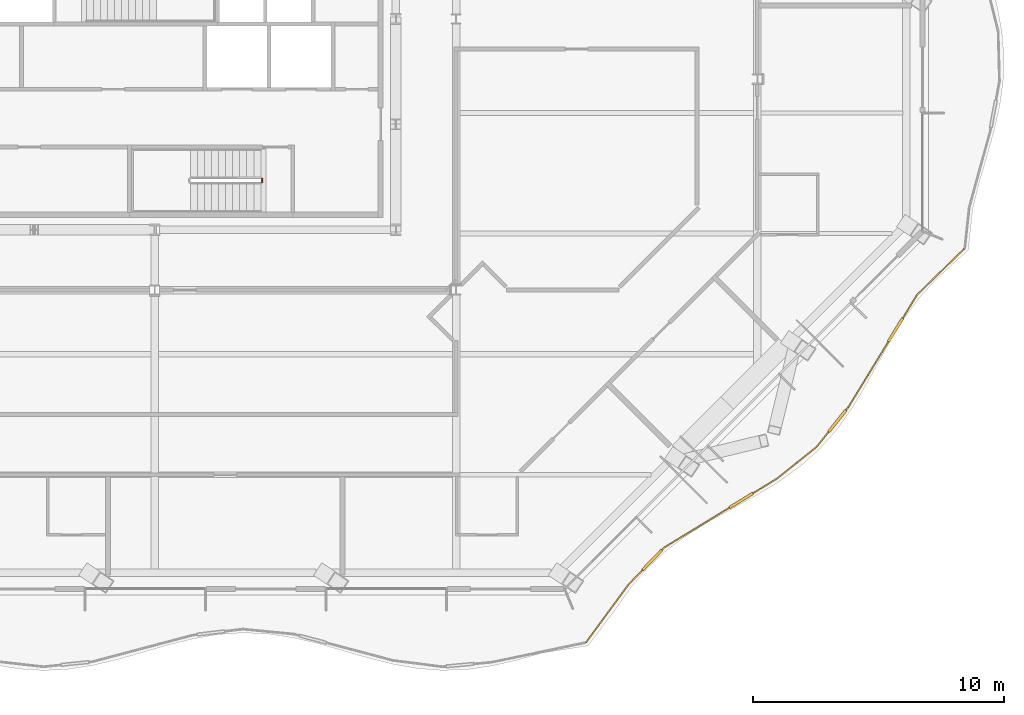
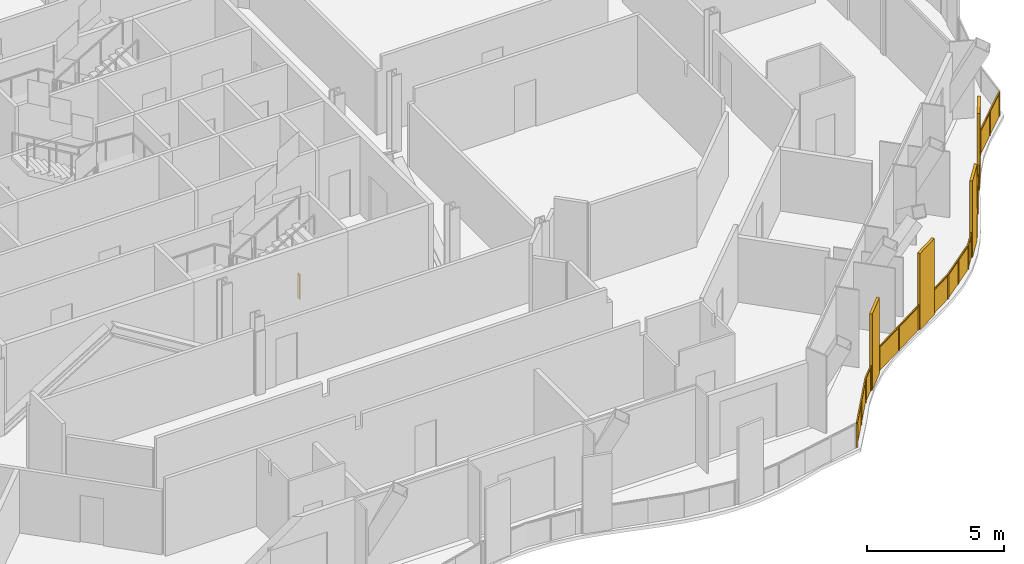
# One storey, part 17 of 21: 2 railings.
"""IFC4 building model written with IfcOpenShell, lengths in metres."""

import ifcopenshell
import ifcopenshell.guid

model = None  # the IFC model being written
_history = None  # IfcOwnerHistory: only IFC2X3 demands one
_inside = {}  # id of a spatial element -> (the spatial element, [elements in it])
_under = {}  # id of a project, library or spatial element -> (it, [spatial elements below it])
_declared = {}  # id of a project -> (the project, [libraries it declares])
_typed = {}  # id of a type object -> (the type object, [elements of that type])
_made_of = {}  # id of a material, layer set ... -> (it, [elements and type objects made of it])


def new_model(schema):
    """Start an empty IFC model of exactly this schema.

    Asked for "IFC4X3", IfcOpenShell would pick the latest addendum, in which some entities
    have other attributes; the version numbers below select the first issue.
    IFC2X3 requires an IfcOwnerHistory on every rooted entity: one is made here for all.
    """
    global model, _history
    if schema == "IFC4X3":
        model = ifcopenshell.file(schema_version=(4, 3, 0, 0))
    else:
        model = ifcopenshell.file(schema=schema)
    _inside.clear()
    _under.clear()
    _declared.clear()
    _typed.clear()
    _made_of.clear()
    _history = None
    if model.schema == "IFC2X3":
        org = make("IfcOrganization", Name="unknown")
        user = make(
            "IfcPersonAndOrganization",
            ThePerson=make("IfcPerson", FamilyName="unknown"),
            TheOrganization=org,
        )
        app = make(
            "IfcApplication",
            ApplicationDeveloper=org,
            Version="unknown",
            ApplicationFullName="unknown",
            ApplicationIdentifier="unknown",
        )
        _history = make(
            "IfcOwnerHistory",
            OwningUser=user,
            OwningApplication=app,
            ChangeAction="ADDED",
            CreationDate=0,
        )
    return model


def make(cls, **values):
    """One entity of the class cls with the attributes given. An attribute that is None is left unset."""
    return model.create_entity(
        cls, **{name: value for name, value in values.items() if value is not None}
    )


def rooted(cls, **values):
    """An entity with a GlobalId (a new one), such as an element, a storey or a relation."""
    return make(cls, GlobalId=ifcopenshell.guid.new(), OwnerHistory=_history, **values)


def si_unit(unit_type, name, prefix=None):
    """IfcSIUnit, for example si_unit("LENGTHUNIT", "METRE", prefix="MILLI")."""
    return make("IfcSIUnit", UnitType=unit_type, Prefix=prefix, Name=name)


def assignment(units):
    """IfcUnitAssignment: the units of a project."""
    return None if units is None else make("IfcUnitAssignment", Units=units)


def point(xyz):
    """IfcCartesianPoint."""
    return None if xyz is None else make("IfcCartesianPoint", Coordinates=xyz)


def direction(xyz):
    """IfcDirection."""
    return None if xyz is None else make("IfcDirection", DirectionRatios=xyz)


def frame(location, z_axis=None, x_axis=None):
    """IfcAxis2Placement3D, a coordinate frame: its origin and axes. An axis left out is left unset."""
    return make(
        "IfcAxis2Placement3D",
        Location=point(location),
        Axis=direction(z_axis),
        RefDirection=direction(x_axis),
    )


def frame_2d(location, x_axis=None):
    """IfcAxis2Placement2D, a coordinate frame in the plane: its origin and x axis."""
    return make(
        "IfcAxis2Placement2D", Location=point(location), RefDirection=direction(x_axis)
    )


def origin():
    """The frame at (0, 0, 0) with its axes left unset."""
    return frame((0.0, 0.0, 0.0))


def origin_2d():
    """The frame at (0, 0) in the plane with its x axis left unset."""
    return frame_2d((0.0, 0.0))


def place(relative_to, where):
    """IfcLocalPlacement: puts the frame where relative to a parent placement (None: the world)."""
    return make(
        "IfcLocalPlacement", PlacementRelTo=relative_to, RelativePlacement=where
    )


def context(
    kind, dimensions, precision=None, world=None, true_north=None, identifier=None
):
    """IfcGeometricRepresentationContext, for example the 3D "Model" context."""
    return make(
        "IfcGeometricRepresentationContext",
        ContextIdentifier=identifier,
        ContextType=kind,
        CoordinateSpaceDimension=dimensions,
        Precision=precision,
        WorldCoordinateSystem=world,
        TrueNorth=true_north,
    )


def subcontext(parent, identifier, kind, view, scale=None):
    """IfcGeometricRepresentationSubContext, for example "Body" below "Model"."""
    return make(
        "IfcGeometricRepresentationSubContext",
        ContextIdentifier=identifier,
        ContextType=kind,
        ParentContext=parent,
        TargetScale=scale,
        TargetView=view,
    )


def project(units=None, contexts=None):
    """IfcProject with its units and contexts."""
    return rooted(
        "IfcProject",
        Name="project",
        RepresentationContexts=contexts,
        UnitsInContext=assignment(units),
    )


def spatial(cls, under=None, at=None, **own):
    """A site, building, storey or space (cls), placed at a placement, below another one or the project."""
    s = rooted(cls, ObjectPlacement=at, **own)
    if under is not None:
        _under.setdefault(under.id(), (under, []))[1].append(s)
    return s


def polyline(points):
    """IfcPolyline through the points."""
    return make("IfcPolyline", Points=[point(p) for p in points])


def profile(cls, at=None, kind="AREA", **sizes):
    """A parametric profile (cls). Its sizes go by their IFC names, for example OverallWidth=200.0."""
    return make(cls, ProfileType=kind, Position=at, **sizes)


def rectangle(**sizes):
    """IfcRectangleProfileDef."""
    return profile("IfcRectangleProfileDef", **sizes)


def outline(outer, holes=None, kind="AREA"):
    """IfcArbitraryClosedProfileDef: a profile drawn as a closed curve; with holes, ...WithVoids."""
    if holes is None:
        return make("IfcArbitraryClosedProfileDef", ProfileType=kind, OuterCurve=outer)
    return make(
        "IfcArbitraryProfileDefWithVoids",
        ProfileType=kind,
        OuterCurve=outer,
        InnerCurves=holes,
    )


def extrude(swept, where, along, depth):
    """IfcExtrudedAreaSolid: the profile swept, set in the frame where, extruded along a direction by depth."""
    return make(
        "IfcExtrudedAreaSolid",
        SweptArea=swept,
        Position=where,
        ExtrudedDirection=direction(along),
        Depth=depth,
    )


def shape(context_of_items, identifier, shape_type, items):
    """IfcShapeRepresentation: the items that make up one representation, for example the "Body"."""
    return make(
        "IfcShapeRepresentation",
        ContextOfItems=context_of_items,
        RepresentationIdentifier=identifier,
        RepresentationType=shape_type,
        Items=items,
    )


def material(Name=None, Category=None):
    """IfcMaterial."""
    return make("IfcMaterial", Name=Name, Category=Category)


def made_of(thing, what):
    """Note that an element or type object is made of a material, layer set ...; save() writes the relation."""
    if what is not None:
        _made_of.setdefault(what.id(), (what, []))[1].append(thing)
    return thing


def type_object(cls, material=None, **own):
    """A type object (cls), such as IfcWallType, which elements share."""
    return made_of(rooted(cls, **own), material)


def element(
    cls,
    number,
    at=None,
    inside=None,
    cuts=None,
    type_object=None,
    material=None,
    context=None,
    identifier="Body",
    shape_type=None,
    held_by="IfcProductDefinitionShape",
    body=None,
    shapes=None,
    **own,
):
    """One element of the class cls, such as IfcWall. Its Tag is "e" and its number.

    at: its placement. inside: the storey or other place that contains it. cuts: it is an
    opening in that element (IfcRelVoidsElement). A single representation is given by context,
    identifier, shape_type and body (its items); several are given by shapes. held_by: the class
    of the entity that holds the representations. save() writes the other relations.
    """
    e = rooted(cls, Tag="e%d" % number, ObjectPlacement=at, **own)
    if body is not None:
        shapes = [shape(context, identifier, shape_type, body)]
    if shapes is not None:
        e.Representation = make(held_by, Representations=shapes)
    if inside is not None:
        _inside.setdefault(inside.id(), (inside, []))[1].append(e)
    if cuts is not None:
        rooted(
            "IfcRelVoidsElement", RelatingBuildingElement=cuts, RelatedOpeningElement=e
        )
    if type_object is not None:
        _typed.setdefault(type_object.id(), (type_object, []))[1].append(e)
    return made_of(e, material)


def aggregate(whole, parts):
    """IfcRelAggregates: a whole, such as a stair, and the parts it consists of."""
    return rooted("IfcRelAggregates", RelatingObject=whole, RelatedObjects=parts)


def save(model, path):
    """Write the relations noted so far, then the file.

    IfcRelAggregates (storeys below a building ...), IfcRelContainedInSpatialStructure (elements
    in a storey), IfcRelDefinesByType, IfcRelAssociatesMaterial and IfcRelDeclares: one each for
    every whole, place, type object, material and project.
    """
    for whole, parts in _under.values():
        aggregate(whole, parts)
    for where, things in _inside.values():
        rooted(
            "IfcRelContainedInSpatialStructure",
            RelatedElements=things,
            RelatingStructure=where,
        )
    for kind, things in _typed.values():
        rooted("IfcRelDefinesByType", RelatedObjects=things, RelatingType=kind)
    for what, things in _made_of.values():
        rooted("IfcRelAssociatesMaterial", RelatedObjects=things, RelatingMaterial=what)
    for by, libraries in _declared.values():
        rooted("IfcRelDeclares", RelatingContext=by, RelatedDefinitions=libraries)
    model.write(path)


model = new_model("IFC4")

# Units and contexts
model_context = context("Model", 3, precision=1e-05, world=origin(), true_north=direction((0.0, 1.0)))
body_context = subcontext(model_context, "Body", "Model", "MODEL_VIEW")
ifc_project = project(units=[si_unit("LENGTHUNIT", "METRE"), si_unit("AREAUNIT", "SQUARE_METRE"), si_unit("VOLUMEUNIT", "CUBIC_METRE"), si_unit("PLANEANGLEUNIT", "RADIAN"), si_unit("MASSUNIT", "GRAM", prefix="KILO")], contexts=[model_context])

# Site, building, storey
site_placement = place(None, origin())
site = spatial("IfcSite", under=ifc_project, at=site_placement, CompositionType="ELEMENT")
building_placement = place(site_placement, origin())
building = spatial("IfcBuilding", under=site, at=building_placement, Name="Cairn Pilgrim Tower", CompositionType="ELEMENT")
storey_placement = place(building_placement, frame((0.0, 0.0, 183.0)))
storey = spatial("IfcBuildingStorey", under=building, at=storey_placement, Name="L46", CompositionType="ELEMENT", Elevation=183.0)

# Railings
ifc_material_1 = material(Name="Bronze anodised aluminium rail, posts and fin screens with laminated glass infill", Category="aluminium")
railing_type_1 = type_object("IfcRailingType", Name="BALCONY GUARD WITH FIN SCREENS", PredefinedType="GUARDRAIL", material=ifc_material_1)
railing_1_placement = place(storey_placement, frame((24.3740234375, -22.43310546875, 0.0)))
element("IfcRailing", 1, at=railing_1_placement, inside=storey, type_object=railing_type_1, Name="Balcony guard BGF-2 with fin screens", PredefinedType="GUARDRAIL", context=body_context, shape_type="SweptSolid", body=[
    extrude(rectangle(XDim=0.050048828125, YDim=0.050048828125, at=origin_2d()), frame((0.0, 0.0, 1.0751953125), z_axis=(0.591563569555, 0.806258360065, 0.0), x_axis=(-0.806258360065, 0.591563569555, 0.0)), (0.0, 0.0, 1.0), 2.85888671875),
    extrude(rectangle(XDim=1.10009765625, YDim=0.110107421875, at=origin_2d()), frame((2.641357421875, 3.28662109375, 0.0), z_axis=(0.0, 0.0, 1.0), x_axis=(0.695431269671, 0.71859261697, 0.0)), (0.0, 0.0, 1.0), 3.39990234375),
    extrude(rectangle(XDim=0.050048828125, YDim=0.050048828125, at=origin_2d()), frame((1.691162109375, 2.304931640625, 1.0751953125), z_axis=(0.695431269671, 0.71859261697, 0.0), x_axis=(-0.71859261697, 0.695431269671, 0.0)), (0.0, 0.0, 1.0), 0.816162109375),
    extrude(rectangle(XDim=0.050048828125, YDim=0.050048828125, at=origin_2d()), frame((3.023681640625, 3.681884765625, 1.0751953125), z_axis=(0.695431269671, 0.71859261697, 0.0), x_axis=(-0.71859261697, 0.695431269671, 0.0)), (0.0, 0.0, 1.0), 0.14990234375),
    extrude(rectangle(XDim=1.10009765625, YDim=0.110107421875, at=origin_2d()), frame((6.1806640625, 5.65478515625, 0.0), z_axis=(0.0, 0.0, 1.0), x_axis=(0.853318635487, 0.521389783493, 0.0)), (0.0, 0.0, 1.0), 3.39990234375),
    extrude(rectangle(XDim=0.050048828125, YDim=0.050048828125, at=origin_2d()), frame((3.1279296875, 3.78955078125, 1.0751953125), z_axis=(0.853318635487, 0.521389783493, 0.0), x_axis=(-0.521389783493, 0.853318635487, 0.0)), (0.0, 0.0, 1.0), 3.027587890625),
    extrude(rectangle(XDim=0.050048828125, YDim=0.050048828125, at=origin_2d()), frame((6.650146484375, 5.941650390625, 1.0751953125), z_axis=(0.853318635487, 0.521389783493, 0.0), x_axis=(-0.521389783493, 0.853318635487, 0.0)), (0.0, 0.0, 1.0), 1.11962890625),
    extrude(rectangle(XDim=0.050048828125, YDim=0.050048828125, at=origin_2d()), frame((7.60546875, 6.525390625, 1.0751953125), z_axis=(0.781080701141, 0.624430090807, 0.0), x_axis=(-0.624430090807, 0.781080701141, 0.0)), (0.0, 0.0, 1.0), 2.02294921875),
    extrude(rectangle(XDim=1.10009765625, YDim=0.110107421875, at=origin_2d()), frame((10.011474609375, 8.822021484375, 0.0), z_axis=(0.0, 0.0, 1.0), x_axis=(0.624297592991, 0.781186607275, 0.0)), (0.0, 0.0, 1.0), 3.39990234375),
    extrude(rectangle(XDim=0.050048828125, YDim=0.050048828125, at=origin_2d()), frame((9.185546875, 7.78857421875, 1.0751953125), z_axis=(0.624297592991, 0.781186607275, 0.0), x_axis=(-0.781186607275, 0.624297592991, 0.0)), (0.0, 0.0, 1.0), 0.77294921875),
    extrude(rectangle(XDim=0.050048828125, YDim=0.050048828125, at=origin_2d()), frame((10.354736328125, 9.251708984375, 1.0751953125), z_axis=(0.624297592991, 0.781186607275, 0.0), x_axis=(-0.781186607275, 0.624297592991, 0.0)), (0.0, 0.0, 1.0), 0.150146484375),
    extrude(rectangle(XDim=1.10009765625, YDim=0.110107421875, at=origin_2d()), frame((12.330322265625, 12.4482421875, 0.0), z_axis=(0.0, 0.0, 1.0), x_axis=(0.521431187626, 0.853293335595, 0.0)), (0.0, 0.0, 1.0), 3.39990234375),
    extrude(rectangle(XDim=0.050048828125, YDim=0.050048828125, at=origin_2d()), frame((10.448486328125, 9.368896484375, 1.0751953125), z_axis=(0.521431187626, 0.853293335595, 0.0), x_axis=(-0.853293335595, 0.521431187626, 0.0)), (0.0, 0.0, 1.0), 3.058837890625),
    extrude(rectangle(XDim=0.050048828125, YDim=0.050048828125, at=origin_2d()), frame((12.616943359375, 12.917724609375, 1.0751953125), z_axis=(0.521431187626, 0.853293335595, 0.0), x_axis=(-0.853293335595, 0.521431187626, 0.0)), (0.0, 0.0, 1.0), 1.087890625),
    extrude(rectangle(XDim=0.050048828125, YDim=0.050048828125, at=origin_2d()), frame((13.184326171875, 13.845947265625, 1.0751953125), z_axis=(0.715849624504, 0.69825447732, 0.0), x_axis=(-0.69825447732, 0.715849624504, 0.0)), (0.0, 0.0, 1.0), 2.5947265625),
    extrude(rectangle(XDim=0.050048828125, YDim=0.050048828125, at=origin_2d()), origin(), (0.0, 0.0, 1.0), 1.050048828125),
    extrude(rectangle(XDim=0.050048828125, YDim=0.050048828125, at=origin_2d()), frame((0.845458984375, 1.15234375, 0.0)), (0.0, 0.0, 1.0), 1.050048828125),
    extrude(rectangle(XDim=0.050048828125, YDim=0.050048828125, at=origin_2d()), frame((1.691162109375, 2.304931640625, 0.0)), (0.0, 0.0, 1.0), 1.050048828125),
    extrude(rectangle(XDim=0.050048828125, YDim=0.050048828125, at=origin_2d()), frame((2.241455078125, 2.87353515625, 0.0)), (0.0, 0.0, 1.0), 1.050048828125),
    extrude(rectangle(XDim=0.050048828125, YDim=0.050048828125, at=origin_2d()), frame((3.041259765625, 3.699951171875, 0.0)), (0.0, 0.0, 1.0), 1.050048828125),
    extrude(rectangle(XDim=0.050048828125, YDim=0.050048828125, at=origin_2d()), frame((3.1279296875, 3.78955078125, 0.0)), (0.0, 0.0, 1.0), 1.050048828125),
    extrude(rectangle(XDim=0.050048828125, YDim=0.050048828125, at=origin_2d()), frame((4.408935546875, 4.572265625, 0.0)), (0.0, 0.0, 1.0), 1.050048828125),
    extrude(rectangle(XDim=0.050048828125, YDim=0.050048828125, at=origin_2d()), frame((5.690185546875, 5.35498046875, 0.0)), (0.0, 0.0, 1.0), 1.050048828125),
    extrude(rectangle(XDim=0.050048828125, YDim=0.050048828125, at=origin_2d()), frame((6.67138671875, 5.95458984375, 0.0)), (0.0, 0.0, 1.0), 1.050048828125),
    extrude(rectangle(XDim=0.050048828125, YDim=0.050048828125, at=origin_2d()), frame((7.60546875, 6.525390625, 0.0)), (0.0, 0.0, 1.0), 1.050048828125),
    extrude(rectangle(XDim=0.050048828125, YDim=0.050048828125, at=origin_2d()), frame((8.3955078125, 7.156982421875, 0.0)), (0.0, 0.0, 1.0), 1.050048828125),
    extrude(rectangle(XDim=0.050048828125, YDim=0.050048828125, at=origin_2d()), frame((9.185546875, 7.78857421875, 0.0)), (0.0, 0.0, 1.0), 1.050048828125),
    extrude(rectangle(XDim=0.050048828125, YDim=0.050048828125, at=origin_2d()), frame((9.652587890625, 8.372802734375, 0.0)), (0.0, 0.0, 1.0), 1.050048828125),
    extrude(rectangle(XDim=0.050048828125, YDim=0.050048828125, at=origin_2d()), frame((10.370361328125, 9.271240234375, 0.0)), (0.0, 0.0, 1.0), 1.050048828125),
    extrude(rectangle(XDim=0.050048828125, YDim=0.050048828125, at=origin_2d()), frame((10.448486328125, 9.368896484375, 0.0)), (0.0, 0.0, 1.0), 1.050048828125),
    extrude(rectangle(XDim=0.050048828125, YDim=0.050048828125, at=origin_2d()), frame((11.239501953125, 10.663330078125, 0.0)), (0.0, 0.0, 1.0), 1.050048828125),
    extrude(rectangle(XDim=0.050048828125, YDim=0.050048828125, at=origin_2d()), frame((12.030517578125, 11.957763671875, 0.0)), (0.0, 0.0, 1.0), 1.050048828125),
    extrude(rectangle(XDim=0.050048828125, YDim=0.050048828125, at=origin_2d()), frame((12.630126953125, 12.93896484375, 0.0)), (0.0, 0.0, 1.0), 1.050048828125),
    extrude(rectangle(XDim=0.050048828125, YDim=0.050048828125, at=origin_2d()), frame((13.184326171875, 13.845947265625, 0.0)), (0.0, 0.0, 1.0), 1.050048828125),
    extrude(rectangle(XDim=0.050048828125, YDim=0.050048828125, at=origin_2d()), frame((14.113037109375, 14.751953125, 0.0)), (0.0, 0.0, 1.0), 1.050048828125),
    extrude(rectangle(XDim=0.050048828125, YDim=0.050048828125, at=origin_2d()), frame((15.041748046875, 15.65771484375, 0.0)), (0.0, 0.0, 1.0), 1.050048828125),
    extrude(outline(polyline([(0.02490234375, 0.0), (1.404296875, 0.0), (1.404296875, 1.050048828125), (0.02490234375, 1.050048828125), (0.02490234375, 0.0)])), frame((-0.0048828125, 0.00341796875, 0.0), z_axis=(0.806258360065, -0.591563569555, 0.0), x_axis=(0.591563569555, 0.806258360065, 0.0)), (0.0, 0.0, 1.0), 0.011962890625),
    extrude(outline(polyline([(0.02490234375, 0.0), (1.404296875, 0.0), (1.404296875, 1.050048828125), (0.02490234375, 1.050048828125), (0.02490234375, 0.0)])), frame((0.8408203125, 1.156005859375, 0.0), z_axis=(0.806258360065, -0.591563569555, 0.0), x_axis=(0.591563569555, 0.806258360065, 0.0)), (0.0, 0.0, 1.0), 0.011962890625),
    extrude(outline(polyline([(0.02490234375, 0.0), (0.76611328125, 0.0), (0.76611328125, 1.050048828125), (0.02490234375, 1.050048828125), (0.02490234375, 0.0)])), frame((1.686767578125, 2.30908203125, 0.0), z_axis=(0.71859261697, -0.695431269671, 0.0), x_axis=(0.695431269671, 0.71859261697, 0.0)), (0.0, 0.0, 1.0), 0.011962890625),
    extrude(outline(polyline([(0.02490234375, 0.0), (0.099853515625, 0.0), (0.099853515625, 1.050048828125), (0.02490234375, 1.050048828125), (0.02490234375, 0.0)])), frame((3.036865234375, 3.7041015625, 0.0), z_axis=(0.71859261697, -0.695431269671, 0.0), x_axis=(0.695431269671, 0.71859261697, 0.0)), (0.0, 0.0, 1.0), 0.011962890625),
    extrude(outline(polyline([(0.02490234375, 0.0), (1.476318359375, 0.0), (1.476318359375, 1.050048828125), (0.02490234375, 1.050048828125), (0.02490234375, 0.0)])), frame((3.124755859375, 3.794677734375, 0.0), z_axis=(0.521389783493, -0.853318635487, 0.0), x_axis=(0.853318635487, 0.521389783493, 0.0)), (0.0, 0.0, 1.0), 0.011962890625),
    extrude(outline(polyline([(0.02490234375, 0.0), (1.476318359375, 0.0), (1.476318359375, 1.050048828125), (0.02490234375, 1.050048828125), (0.02490234375, 0.0)])), frame((4.40576171875, 4.577392578125, 0.0), z_axis=(0.521389783493, -0.853318635487, 0.0), x_axis=(0.853318635487, 0.521389783493, 0.0)), (0.0, 0.0, 1.0), 0.011962890625),
    extrude(outline(polyline([(0.02490234375, 0.0), (1.069580078125, 0.0), (1.069580078125, 1.050048828125), (0.02490234375, 1.050048828125), (0.02490234375, 0.0)])), frame((6.668212890625, 5.959716796875, 0.0), z_axis=(0.521389783493, -0.853318635487, 0.0), x_axis=(0.853318635487, 0.521389783493, 0.0)), (0.0, 0.0, 1.0), 0.011962890625),
    extrude(outline(polyline([(0.02490234375, 0.0), (0.986328125, 0.0), (0.986328125, 1.050048828125), (0.02490234375, 1.050048828125), (0.02490234375, 0.0)])), frame((7.601806640625, 6.530029296875, 0.0), z_axis=(0.624430090807, -0.781080701141, 0.0), x_axis=(0.781080701141, 0.624430090807, 0.0)), (0.0, 0.0, 1.0), 0.011962890625),
    extrude(outline(polyline([(0.02490234375, 0.0), (0.986328125, 0.0), (0.986328125, 1.050048828125), (0.02490234375, 1.050048828125), (0.02490234375, 0.0)])), frame((8.391845703125, 7.16162109375, 0.0), z_axis=(0.624430090807, -0.781080701141, 0.0), x_axis=(0.781080701141, 0.624430090807, 0.0)), (0.0, 0.0, 1.0), 0.011962890625),
    extrude(outline(polyline([(0.02490234375, 0.0), (0.722900390625, 0.0), (0.722900390625, 1.050048828125), (0.02490234375, 1.050048828125), (0.02490234375, 0.0)])), frame((9.180908203125, 7.792236328125, 0.0), z_axis=(0.781186607275, -0.624297592991, 0.0), x_axis=(0.624297592991, 0.781186607275, 0.0)), (0.0, 0.0, 1.0), 0.011962890625),
    extrude(outline(polyline([(0.02490234375, 0.0), (0.10009765625, 0.0), (0.10009765625, 1.050048828125), (0.02490234375, 1.050048828125), (0.02490234375, 0.0)])), frame((10.36572265625, 9.27490234375, 0.0), z_axis=(0.781186607275, -0.624297592991, 0.0), x_axis=(0.624297592991, 0.781186607275, 0.0)), (0.0, 0.0, 1.0), 0.011962890625),
    extrude(outline(polyline([(0.02490234375, 0.0), (1.491943359375, 0.0), (1.491943359375, 1.050048828125), (0.02490234375, 1.050048828125), (0.02490234375, 0.0)])), frame((10.443359375, 9.3720703125, 0.0), z_axis=(0.853293335595, -0.521431187626, 0.0), x_axis=(0.521431187626, 0.853293335595, 0.0)), (0.0, 0.0, 1.0), 0.011962890625),
    extrude(outline(polyline([(0.02490234375, 0.0), (1.491943359375, 0.0), (1.491943359375, 1.050048828125), (0.02490234375, 1.050048828125), (0.02490234375, 0.0)])), frame((11.234375, 10.66650390625, 0.0), z_axis=(0.853293335595, -0.521431187626, 0.0), x_axis=(0.521431187626, 0.853293335595, 0.0)), (0.0, 0.0, 1.0), 0.011962890625),
    extrude(outline(polyline([(0.02490234375, 0.0), (1.037841796875, 0.0), (1.037841796875, 1.050048828125), (0.02490234375, 1.050048828125), (0.02490234375, 0.0)])), frame((12.625, 12.942138671875, 0.0), z_axis=(0.853293335595, -0.521431187626, 0.0), x_axis=(0.521431187626, 0.853293335595, 0.0)), (0.0, 0.0, 1.0), 0.011962890625),
    extrude(outline(polyline([(0.02490234375, 0.0), (1.272216796875, 0.0), (1.272216796875, 1.050048828125), (0.02490234375, 1.050048828125), (0.02490234375, 0.0)])), frame((13.18017578125, 13.850341796875, 0.0), z_axis=(0.69825447732, -0.715849624504, 0.0), x_axis=(0.715849624504, 0.69825447732, 0.0)), (0.0, 0.0, 1.0), 0.011962890625),
    extrude(outline(polyline([(0.02490234375, 0.0), (1.272216796875, 0.0), (1.272216796875, 1.050048828125), (0.02490234375, 1.050048828125), (0.02490234375, 0.0)])), frame((14.10888671875, 14.756103515625, 0.0), z_axis=(0.69825447732, -0.715849624504, 0.0), x_axis=(0.715849624504, 0.69825447732, 0.0)), (0.0, 0.0, 1.0), 0.011962890625),
])
ifc_material_2 = material(Name="Painted steel", Category="steel")
railing_type_2 = type_object("IfcRailingType", Name="STAIR GUARD 1100", PredefinedType="GUARDRAIL", material=ifc_material_2)
railing_2_placement = place(storey_placement, frame((11.47509765625, -3.97509765625, 0.0)))
element("IfcRailing", 2, at=railing_2_placement, inside=storey, type_object=railing_type_2, Name="L46 ST-A stair guard 2", PredefinedType="GUARDRAIL", context=body_context, shape_type="SweptSolid", body=[
    extrude(rectangle(XDim=0.048095703125, YDim=0.048095703125, at=origin_2d()), frame((0.0, 0.0, 1.076171875), z_axis=(0.0, -1.0, 0.0), x_axis=(1.0, 0.0, 0.0)), (0.0, 0.0, 1.0), 0.125),
    extrude(rectangle(XDim=0.0419921875, YDim=0.0419921875, at=origin_2d()), origin(), (0.0, 0.0, 1.0), 1.052001953125),
    extrude(rectangle(XDim=0.0419921875, YDim=0.0419921875, at=origin_2d()), frame((0.0, -0.125, 0.0)), (0.0, 0.0, 1.0), 1.052001953125),
    extrude(outline(polyline([(0.02099609375, 0.0), (0.10400390625, 0.0), (0.10400390625, 1.052001953125), (0.02099609375, 1.052001953125), (0.02099609375, 0.0)])), frame((0.005859375, 0.0, 0.0), z_axis=(-1.0, 0.0, 0.0), x_axis=(0.0, -1.0, 0.0)), (0.0, 0.0, 1.0), 0.011962890625),
])

save(model, "model.ifc")
